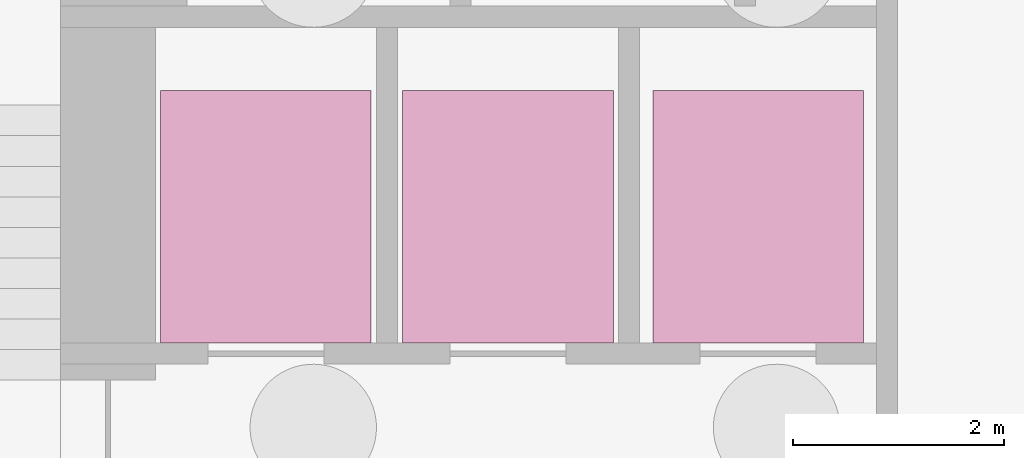
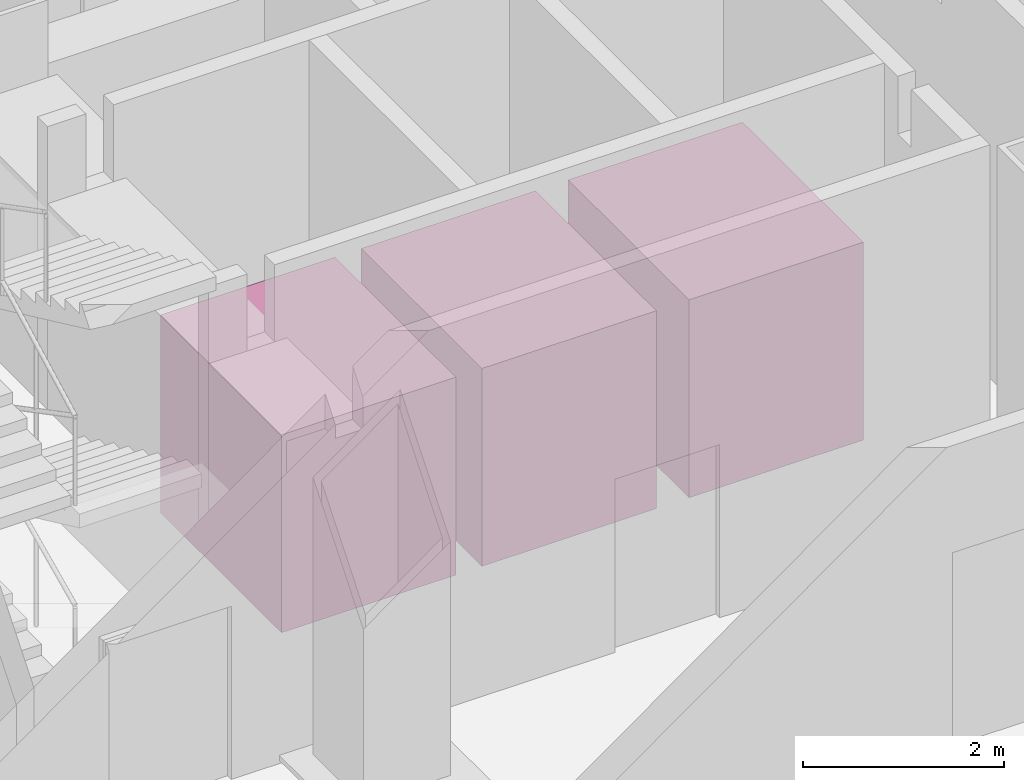
# One storey, part 9 of 9: 3 transport elements.
"""IFC4 building model written with IfcOpenShell, lengths in metres."""

import ifcopenshell
import ifcopenshell.guid

model = None  # the IFC model being written
_history = None  # IfcOwnerHistory: only IFC2X3 demands one
_inside = {}  # id of a spatial element -> (the spatial element, [elements in it])
_under = {}  # id of a project, library or spatial element -> (it, [spatial elements below it])
_declared = {}  # id of a project -> (the project, [libraries it declares])
_typed = {}  # id of a type object -> (the type object, [elements of that type])
_made_of = {}  # id of a material, layer set ... -> (it, [elements and type objects made of it])


def new_model(schema):
    """Start an empty IFC model of exactly this schema.

    Asked for "IFC4X3", IfcOpenShell would pick the latest addendum, in which some entities
    have other attributes; the version numbers below select the first issue.
    IFC2X3 requires an IfcOwnerHistory on every rooted entity: one is made here for all.
    """
    global model, _history
    if schema == "IFC4X3":
        model = ifcopenshell.file(schema_version=(4, 3, 0, 0))
    else:
        model = ifcopenshell.file(schema=schema)
    _inside.clear()
    _under.clear()
    _declared.clear()
    _typed.clear()
    _made_of.clear()
    _history = None
    if model.schema == "IFC2X3":
        org = make("IfcOrganization", Name="unknown")
        user = make(
            "IfcPersonAndOrganization",
            ThePerson=make("IfcPerson", FamilyName="unknown"),
            TheOrganization=org,
        )
        app = make(
            "IfcApplication",
            ApplicationDeveloper=org,
            Version="unknown",
            ApplicationFullName="unknown",
            ApplicationIdentifier="unknown",
        )
        _history = make(
            "IfcOwnerHistory",
            OwningUser=user,
            OwningApplication=app,
            ChangeAction="ADDED",
            CreationDate=0,
        )
    return model


def make(cls, **values):
    """One entity of the class cls with the attributes given. An attribute that is None is left unset."""
    return model.create_entity(
        cls, **{name: value for name, value in values.items() if value is not None}
    )


def rooted(cls, **values):
    """An entity with a GlobalId (a new one), such as an element, a storey or a relation."""
    return make(cls, GlobalId=ifcopenshell.guid.new(), OwnerHistory=_history, **values)


def si_unit(unit_type, name, prefix=None):
    """IfcSIUnit, for example si_unit("LENGTHUNIT", "METRE", prefix="MILLI")."""
    return make("IfcSIUnit", UnitType=unit_type, Prefix=prefix, Name=name)


def assignment(units):
    """IfcUnitAssignment: the units of a project."""
    return None if units is None else make("IfcUnitAssignment", Units=units)


def point(xyz):
    """IfcCartesianPoint."""
    return None if xyz is None else make("IfcCartesianPoint", Coordinates=xyz)


def direction(xyz):
    """IfcDirection."""
    return None if xyz is None else make("IfcDirection", DirectionRatios=xyz)


def frame(location, z_axis=None, x_axis=None):
    """IfcAxis2Placement3D, a coordinate frame: its origin and axes. An axis left out is left unset."""
    return make(
        "IfcAxis2Placement3D",
        Location=point(location),
        Axis=direction(z_axis),
        RefDirection=direction(x_axis),
    )


def frame_2d(location, x_axis=None):
    """IfcAxis2Placement2D, a coordinate frame in the plane: its origin and x axis."""
    return make(
        "IfcAxis2Placement2D", Location=point(location), RefDirection=direction(x_axis)
    )


def origin():
    """The frame at (0, 0, 0) with its axes left unset."""
    return frame((0.0, 0.0, 0.0))


def origin_2d():
    """The frame at (0, 0) in the plane with its x axis left unset."""
    return frame_2d((0.0, 0.0))


def place(relative_to, where):
    """IfcLocalPlacement: puts the frame where relative to a parent placement (None: the world)."""
    return make(
        "IfcLocalPlacement", PlacementRelTo=relative_to, RelativePlacement=where
    )


def context(
    kind, dimensions, precision=None, world=None, true_north=None, identifier=None
):
    """IfcGeometricRepresentationContext, for example the 3D "Model" context."""
    return make(
        "IfcGeometricRepresentationContext",
        ContextIdentifier=identifier,
        ContextType=kind,
        CoordinateSpaceDimension=dimensions,
        Precision=precision,
        WorldCoordinateSystem=world,
        TrueNorth=true_north,
    )


def subcontext(parent, identifier, kind, view, scale=None):
    """IfcGeometricRepresentationSubContext, for example "Body" below "Model"."""
    return make(
        "IfcGeometricRepresentationSubContext",
        ContextIdentifier=identifier,
        ContextType=kind,
        ParentContext=parent,
        TargetScale=scale,
        TargetView=view,
    )


def project(units=None, contexts=None):
    """IfcProject with its units and contexts."""
    return rooted(
        "IfcProject",
        Name="project",
        RepresentationContexts=contexts,
        UnitsInContext=assignment(units),
    )


def spatial(cls, under=None, at=None, **own):
    """A site, building, storey or space (cls), placed at a placement, below another one or the project."""
    s = rooted(cls, ObjectPlacement=at, **own)
    if under is not None:
        _under.setdefault(under.id(), (under, []))[1].append(s)
    return s


def profile(cls, at=None, kind="AREA", **sizes):
    """A parametric profile (cls). Its sizes go by their IFC names, for example OverallWidth=200.0."""
    return make(cls, ProfileType=kind, Position=at, **sizes)


def rectangle(**sizes):
    """IfcRectangleProfileDef."""
    return profile("IfcRectangleProfileDef", **sizes)


def extrude(swept, where, along, depth):
    """IfcExtrudedAreaSolid: the profile swept, set in the frame where, extruded along a direction by depth."""
    return make(
        "IfcExtrudedAreaSolid",
        SweptArea=swept,
        Position=where,
        ExtrudedDirection=direction(along),
        Depth=depth,
    )


def shape(context_of_items, identifier, shape_type, items):
    """IfcShapeRepresentation: the items that make up one representation, for example the "Body"."""
    return make(
        "IfcShapeRepresentation",
        ContextOfItems=context_of_items,
        RepresentationIdentifier=identifier,
        RepresentationType=shape_type,
        Items=items,
    )


def material(Name=None, Category=None):
    """IfcMaterial."""
    return make("IfcMaterial", Name=Name, Category=Category)


def made_of(thing, what):
    """Note that an element or type object is made of a material, layer set ...; save() writes the relation."""
    if what is not None:
        _made_of.setdefault(what.id(), (what, []))[1].append(thing)
    return thing


def type_object(cls, material=None, **own):
    """A type object (cls), such as IfcWallType, which elements share."""
    return made_of(rooted(cls, **own), material)


def element(
    cls,
    number,
    at=None,
    inside=None,
    cuts=None,
    type_object=None,
    material=None,
    context=None,
    identifier="Body",
    shape_type=None,
    held_by="IfcProductDefinitionShape",
    body=None,
    shapes=None,
    **own,
):
    """One element of the class cls, such as IfcWall. Its Tag is "e" and its number.

    at: its placement. inside: the storey or other place that contains it. cuts: it is an
    opening in that element (IfcRelVoidsElement). A single representation is given by context,
    identifier, shape_type and body (its items); several are given by shapes. held_by: the class
    of the entity that holds the representations. save() writes the other relations.
    """
    e = rooted(cls, Tag="e%d" % number, ObjectPlacement=at, **own)
    if body is not None:
        shapes = [shape(context, identifier, shape_type, body)]
    if shapes is not None:
        e.Representation = make(held_by, Representations=shapes)
    if inside is not None:
        _inside.setdefault(inside.id(), (inside, []))[1].append(e)
    if cuts is not None:
        rooted(
            "IfcRelVoidsElement", RelatingBuildingElement=cuts, RelatedOpeningElement=e
        )
    if type_object is not None:
        _typed.setdefault(type_object.id(), (type_object, []))[1].append(e)
    return made_of(e, material)


def aggregate(whole, parts):
    """IfcRelAggregates: a whole, such as a stair, and the parts it consists of."""
    return rooted("IfcRelAggregates", RelatingObject=whole, RelatedObjects=parts)


def save(model, path):
    """Write the relations noted so far, then the file.

    IfcRelAggregates (storeys below a building ...), IfcRelContainedInSpatialStructure (elements
    in a storey), IfcRelDefinesByType, IfcRelAssociatesMaterial and IfcRelDeclares: one each for
    every whole, place, type object, material and project.
    """
    for whole, parts in _under.values():
        aggregate(whole, parts)
    for where, things in _inside.values():
        rooted(
            "IfcRelContainedInSpatialStructure",
            RelatedElements=things,
            RelatingStructure=where,
        )
    for kind, things in _typed.values():
        rooted("IfcRelDefinesByType", RelatedObjects=things, RelatingType=kind)
    for what, things in _made_of.values():
        rooted("IfcRelAssociatesMaterial", RelatedObjects=things, RelatingMaterial=what)
    for by, libraries in _declared.values():
        rooted("IfcRelDeclares", RelatingContext=by, RelatedDefinitions=libraries)
    model.write(path)


model = new_model("IFC4")

# Units and contexts
model_context = context("Model", 3, precision=1e-05, world=origin(), true_north=direction((0.0, 1.0)))
body_context = subcontext(model_context, "Body", "Model", "MODEL_VIEW")
ifc_project = project(units=[si_unit("LENGTHUNIT", "METRE"), si_unit("AREAUNIT", "SQUARE_METRE"), si_unit("VOLUMEUNIT", "CUBIC_METRE"), si_unit("PLANEANGLEUNIT", "RADIAN"), si_unit("MASSUNIT", "GRAM", prefix="KILO")], contexts=[model_context])

# Site, building, storey
site_placement = place(None, origin())
site = spatial("IfcSite", under=ifc_project, at=site_placement, CompositionType="ELEMENT")
building_placement = place(site_placement, origin())
building = spatial("IfcBuilding", under=site, at=building_placement, Name="Immortelle Media Tower", CompositionType="ELEMENT")
storey_placement = place(building_placement, frame((0.0, 0.0, -5.0)))
storey = spatial("IfcBuildingStorey", under=building, at=storey_placement, Name="B1", CompositionType="ELEMENT", Elevation=-5.0)

# Transport elements
ifc_material = material(Name="Stainless steel AISI 304", Category="steel")
transport_element_type = type_object("IfcTransportElementType", Name="Lift car FF 2000 x 2400", PredefinedType="ELEVATOR", material=ifc_material)
for number, where, z_axis, x_axis, name in (
    (1, (17.35009765625, 11.800048828125, 0.0), (0.0, 0.0, 1.0), (1.0, 0.0, 0.0), "Lift FF1"),
    (2, (19.64990234375, 11.800048828125, 0.0), (0.0, 0.0, 1.0), (1.0, 0.0, 0.0), "Lift FF2"),
    (3, (22.02490234375, 11.800048828125, 0.0), (0.0, 0.0, 1.0), (1.0, 0.0, 0.0), "Lift FF3"),
):
    element("IfcTransportElement", number, at=place(storey_placement, frame(where, z_axis=z_axis, x_axis=x_axis)), inside=storey, type_object=transport_element_type, Name=name, PredefinedType="ELEVATOR", context=body_context, shape_type="SweptSolid", body=[
        extrude(rectangle(XDim=2.0, YDim=2.39990234375, at=origin_2d()), origin(), (0.0, 0.0, 1.0), 2.39990234375),
    ])

save(model, "model.ifc")
